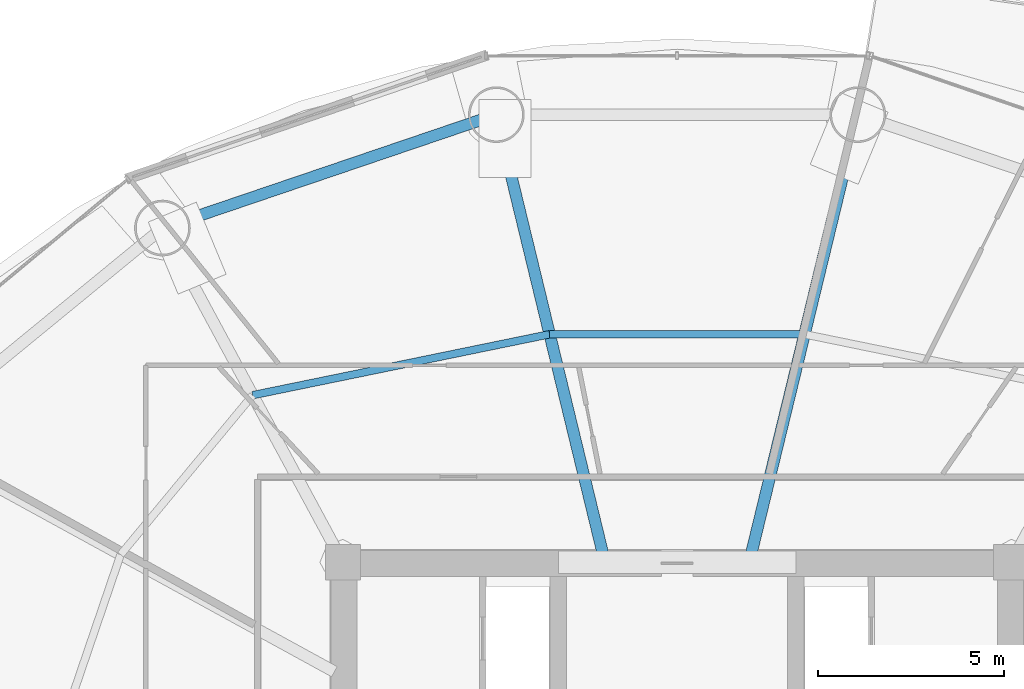
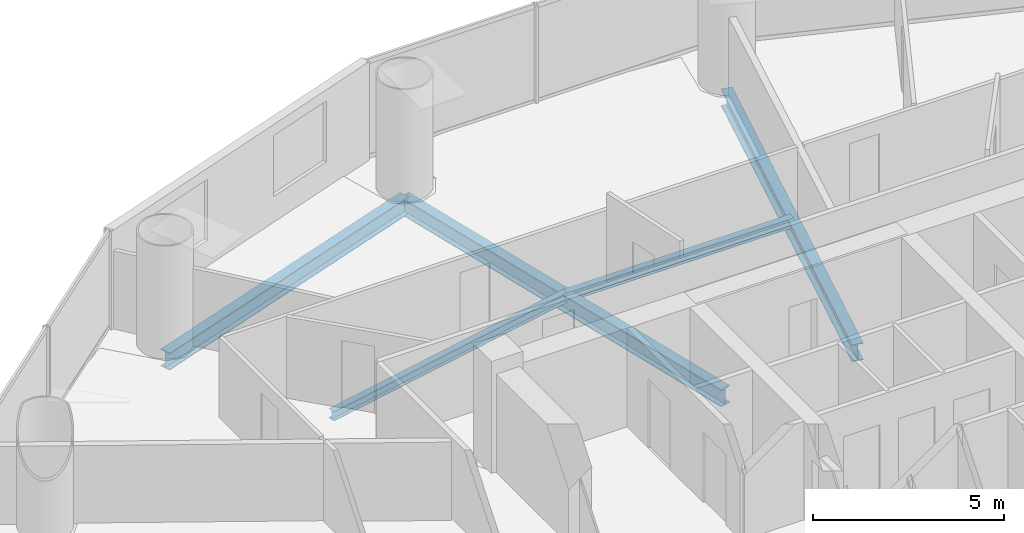
# One storey, part 17 of 29: 5 beams.
"""IFC4 building model written with IfcOpenShell, lengths in metres."""

from ifc_helpers import new_model, si_unit, direction, frame, origin, origin_2d, place, context, subcontext, project, spatial, i_section, extrude, material, material_profile, profile_set, type_object, element, save


model = new_model("IFC4")

# Units and contexts
model_context = context("Model", 3, precision=1e-05, world=origin(), true_north=direction((-0.2419218956, 0.970295726276)))
body_context = subcontext(model_context, "Body", "Model", "MODEL_VIEW")
ifc_project = project(units=[si_unit("LENGTHUNIT", "METRE"), si_unit("AREAUNIT", "SQUARE_METRE"), si_unit("VOLUMEUNIT", "CUBIC_METRE"), si_unit("PLANEANGLEUNIT", "RADIAN"), si_unit("MASSUNIT", "GRAM", prefix="KILO")], contexts=[model_context])

# Site, building, storey
site_placement = place(None, origin())
site = spatial("IfcSite", under=ifc_project, at=site_placement, CompositionType="ELEMENT")
building_placement = place(site_placement, origin())
building = spatial("IfcBuilding", under=site, at=building_placement, Name="Cobrevalo Terracotta Tower", CompositionType="ELEMENT")
storey_placement = place(building_placement, frame((0.0, 0.0, 126.60009765625)))
storey = spatial("IfcBuildingStorey", under=building, at=storey_placement, Name="L33", CompositionType="ELEMENT", Elevation=126.60009765625)

# Beams
ifc_material = material(Name="Steel S355", Category="steel")
ifc_material_profile_1 = material_profile(ifc_material, i_section(OverallWidth=0.31201171875, OverallDepth=0.54296875, WebThickness=0.0126953125, FlangeThickness=0.020263671875, at=origin_2d()), Name="W 530x150")
ifc_profile_set_1 = profile_set([ifc_material_profile_1], Name="Steel S355")
beam_type_1 = type_object("IfcBeamType", Name="Structural Beam W 530x150 (Steel S355)", PredefinedType="BEAM", material=ifc_profile_set_1)
for number, where, z_axis, x_axis, name in (
    (1, (42.867431640625, 46.857177734375, -0.546630859375), (-0.235827379387, -0.971794961467, 0.0), (0.971794961467, -0.235827379387, 0.0), "L33 radial floor girder 04"),
    (2, (33.132568359375, 46.857177734375, -0.546630859375), (0.235827379387, -0.971794961467, 0.0), (0.971794961467, 0.235827379387, 0.0), "L33 radial floor girder 05"),
):
    element("IfcBeam", number, at=place(storey_placement, frame(where, z_axis=z_axis, x_axis=x_axis)), inside=storey, type_object=beam_type_1, Name=name, PredefinedType="BEAM", context=body_context, shape_type="SweptSolid", body=[
        extrude(i_section(OverallWidth=0.31201171875, OverallDepth=0.54296875, WebThickness=0.0126953125, FlangeThickness=0.020263671875, at=origin_2d()), origin(), (0.0, 0.0, 1.0), 12.17041015625),
    ])
ifc_material_profile_2 = material_profile(ifc_material, i_section(OverallWidth=0.2041015625, OverallDepth=0.305908203125, WebThickness=0.008544921875, FlangeThickness=0.0146484375, at=origin_2d()), Name="W 310x67")
ifc_profile_set_2 = profile_set([ifc_material_profile_2], Name="Steel S355")
beam_type_2 = type_object("IfcBeamType", Name="Structural Joist W 310x67 (Steel S355)", PredefinedType="JOIST", material=ifc_profile_set_2)
beam_1_placement = place(storey_placement, frame((41.432373046875, 40.943603515625, -0.427978515625), z_axis=(-1.0, 0.0, 0.0), x_axis=(0.0, -1.0, 0.0)))
element("IfcBeam", 3, at=beam_1_placement, inside=storey, type_object=beam_type_2, Name="L33 circumferential secondary floor joist 04", PredefinedType="JOIST", context=body_context, shape_type="SweptSolid", body=[
    extrude(i_section(OverallWidth=0.2041015625, OverallDepth=0.305908203125, WebThickness=0.008544921875, FlangeThickness=0.0146484375, at=origin_2d()), origin(), (0.0, 0.0, 1.0), 6.86474609375),
])
beam_2_placement = place(storey_placement, frame((34.567626953125, 40.943603515625, -0.427978515625), z_axis=(-0.979574469315, -0.201081722357, 0.0), x_axis=(0.201081722357, -0.979574469315, 0.0)))
element("IfcBeam", 4, at=beam_2_placement, inside=storey, type_object=beam_type_2, Name="L33 circumferential secondary floor joist 05", PredefinedType="JOIST", context=body_context, shape_type="SweptSolid", body=[
    extrude(i_section(OverallWidth=0.2041015625, OverallDepth=0.305908203125, WebThickness=0.008544921875, FlangeThickness=0.0146484375, at=origin_2d()), origin(), (0.0, 0.0, 1.0), 8.1650390625),
])
ifc_material_profile_3 = material_profile(ifc_material, i_section(OverallWidth=0.31201171875, OverallDepth=0.54296875, WebThickness=0.0126953125, FlangeThickness=0.020263671875, at=origin_2d()), Name="W 530x150")
ifc_profile_set_3 = profile_set([ifc_material_profile_3], Name="Steel S355")
beam_type_3 = type_object("IfcBeamType", Name="Structural Spandrel W 530x150 (Steel S355)", PredefinedType="SPANDREL", material=ifc_profile_set_3)
beam_3_placement = place(storey_placement, frame((33.132568359375, 46.857177734375, -0.546630859375), z_axis=(-0.946910528816, -0.32149720126, 0.0), x_axis=(0.32149720126, -0.946910528816, 0.0)))
element("IfcBeam", 5, at=beam_3_placement, inside=storey, type_object=beam_type_3, Name="L33 perimeter ring spandrel 05", PredefinedType="SPANDREL", context=body_context, shape_type="SweptSolid", body=[
    extrude(i_section(OverallWidth=0.31201171875, OverallDepth=0.54296875, WebThickness=0.0126953125, FlangeThickness=0.020263671875, at=origin_2d()), origin(), (0.0, 0.0, 1.0), 9.498291015625),
])

save(model, "model.ifc")
